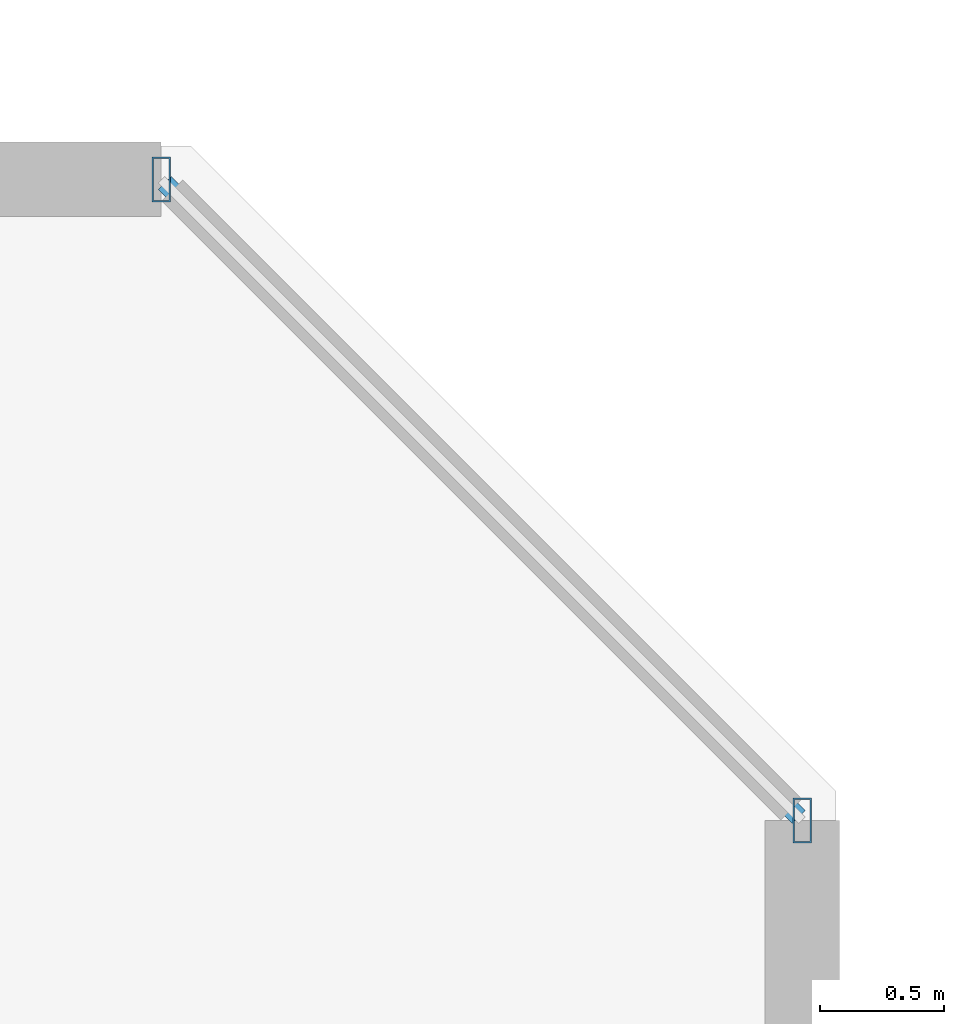
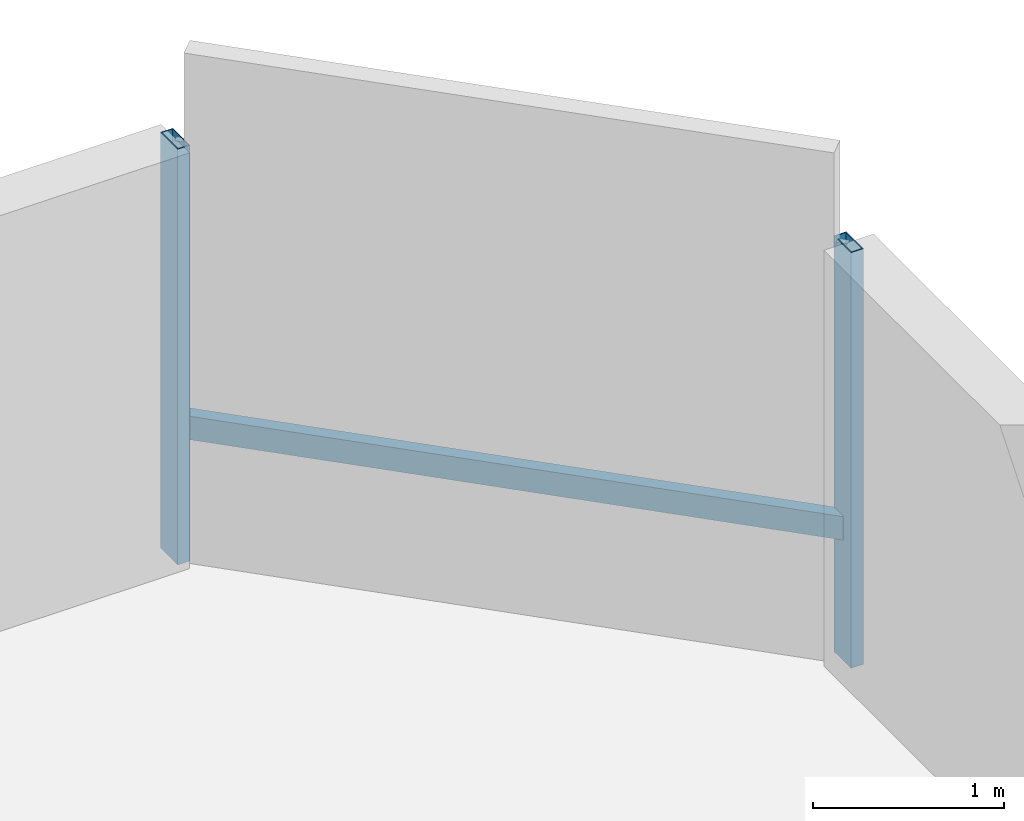
# One storey, part 12 of 35: 3 members, 1 element without a shape of its own.
"""IFC4 building model written with IfcOpenShell, lengths in metres."""

from ifc_helpers import new_model, si_unit, direction, frame, origin, origin_2d, place, context, subcontext, project, spatial, hollow_rectangle, extrude, material, material_profile, profile_set, type_object, element, aggregate, save


model = new_model("IFC4")

# Units and contexts
model_context = context("Model", 3, precision=1e-05, world=origin(), true_north=direction((0.0, 1.0)))
body_context = subcontext(model_context, "Body", "Model", "MODEL_VIEW")
ifc_project = project(units=[si_unit("LENGTHUNIT", "METRE"), si_unit("AREAUNIT", "SQUARE_METRE"), si_unit("VOLUMEUNIT", "CUBIC_METRE"), si_unit("PLANEANGLEUNIT", "RADIAN"), si_unit("MASSUNIT", "GRAM", prefix="KILO")], contexts=[model_context])

# Site, building, storey
site_placement = place(None, origin())
site = spatial("IfcSite", under=ifc_project, at=site_placement, CompositionType="ELEMENT")
building_placement = place(site_placement, origin())
building = spatial("IfcBuilding", under=site, at=building_placement, Name="Thornwick Lancets Civic Towers", CompositionType="ELEMENT")
storey_placement = place(building_placement, frame((0.0, 0.0, 276.300048828125)))
storey = spatial("IfcBuildingStorey", under=building, at=storey_placement, Name="L74", CompositionType="ELEMENT", Elevation=276.300048828125)

# Curtain wall, members
ifc_material_1 = material(Name="High-zone chamfered-corner unitised glass curtain wall", Category="glass")
curtain_wall_type = type_object("IfcCurtainWallType", Name="CW_SYS_05", PredefinedType="NOTDEFINED", material=ifc_material_1)
curtain_wall_placement = place(storey_placement, origin())
curtain_wall = element("IfcCurtainWall", 1, at=curtain_wall_placement, inside=storey, type_object=curtain_wall_type, Name="L74 Curtain Wall CW-L74-A-E3", PredefinedType="NOTDEFINED")
ifc_material_2 = material(Name="Thermally broken bronze aluminium S355", Category="steel")
ifc_material_profile_1 = material_profile(ifc_material_2, hollow_rectangle(XDim=0.074951171875, YDim=0.179931640625, WallThickness=0.006103515625, at=origin_2d()), Name="RHS 180x75x6")
ifc_profile_set_1 = profile_set([ifc_material_profile_1], Name="Thermally broken bronze aluminium S355")
member_type_1 = type_object("IfcMemberType", Name="CW_MUL_180", PredefinedType="MULLION", material=ifc_profile_set_1)
member_1_placement = place(storey_placement, frame((49.2646484375, 42.181396484375, 0.0), z_axis=(0.0, 0.0, 1.0), x_axis=(1.0, 0.0, 0.0)))
member_1 = element("IfcMember", 2, at=member_1_placement, type_object=member_type_1, Name="CW-L74-A-E3 Mullion 0", PredefinedType="MULLION", context=body_context, shape_type="SweptSolid", body=[
    extrude(hollow_rectangle(XDim=0.074951171875, YDim=0.179931640625, WallThickness=0.006103515625, at=origin_2d()), origin(), (0.0, 0.0, 1.0), 2.659912109375),
])
member_2_placement = place(storey_placement, frame((46.681396484375, 44.7646484375, 0.0), z_axis=(0.0, 0.0, 1.0), x_axis=(1.0, 0.0, 0.0)))
member_2 = element("IfcMember", 3, at=member_2_placement, type_object=member_type_1, Name="CW-L74-A-E3 Mullion 1", PredefinedType="MULLION", context=body_context, shape_type="SweptSolid", body=[
    extrude(hollow_rectangle(XDim=0.074951171875, YDim=0.179931640625, WallThickness=0.006103515625, at=origin_2d()), origin(), (0.0, 0.0, 1.0), 2.659912109375),
])
ifc_material_profile_2 = material_profile(ifc_material_2, hollow_rectangle(XDim=0.074951171875, YDim=0.14990234375, WallThickness=0.0048828125, at=origin_2d()), Name="RHS 150x75x5")
ifc_profile_set_2 = profile_set([ifc_material_profile_2], Name="Thermally broken bronze aluminium S355")
member_type_2 = type_object("IfcMemberType", Name="CW_TRN_150", PredefinedType="USERDEFINED", material=ifc_profile_set_2)
member_3_placement = place(storey_placement, frame((49.25048828125, 42.195556640625, 0.849853515625), z_axis=(-0.707106781187, 0.707106781187, 0.0), x_axis=(-0.707106781187, -0.707106781187, 0.0)))
member_3 = element("IfcMember", 4, at=member_3_placement, type_object=member_type_2, Name="CW-L74-A-E3 Transom 0", ObjectType="TRANSOM", PredefinedType="USERDEFINED", context=body_context, shape_type="SweptSolid", body=[
    extrude(hollow_rectangle(XDim=0.074951171875, YDim=0.14990234375, WallThickness=0.0048828125, at=origin_2d()), origin(), (0.0, 0.0, 1.0), 3.61328125),
])
aggregate(curtain_wall, [member_1, member_2, member_3])

save(model, "model.ifc")
